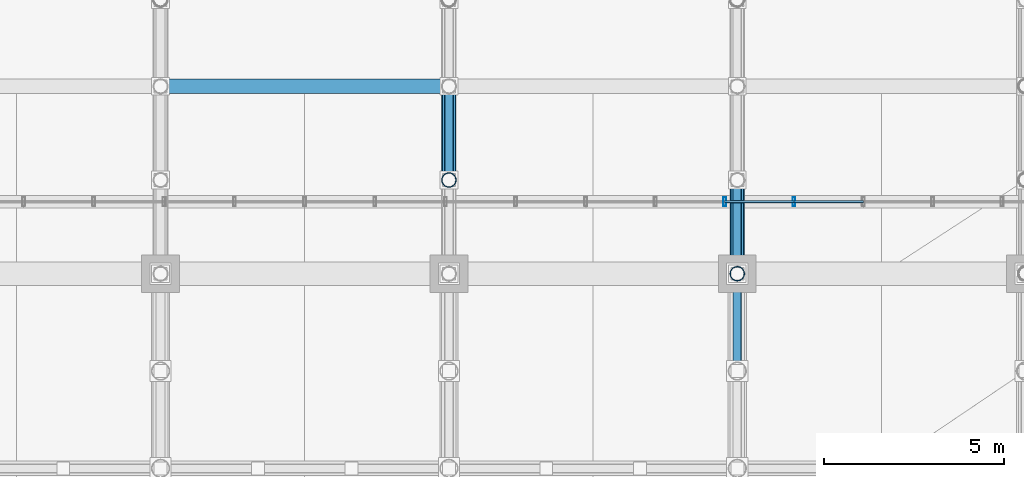
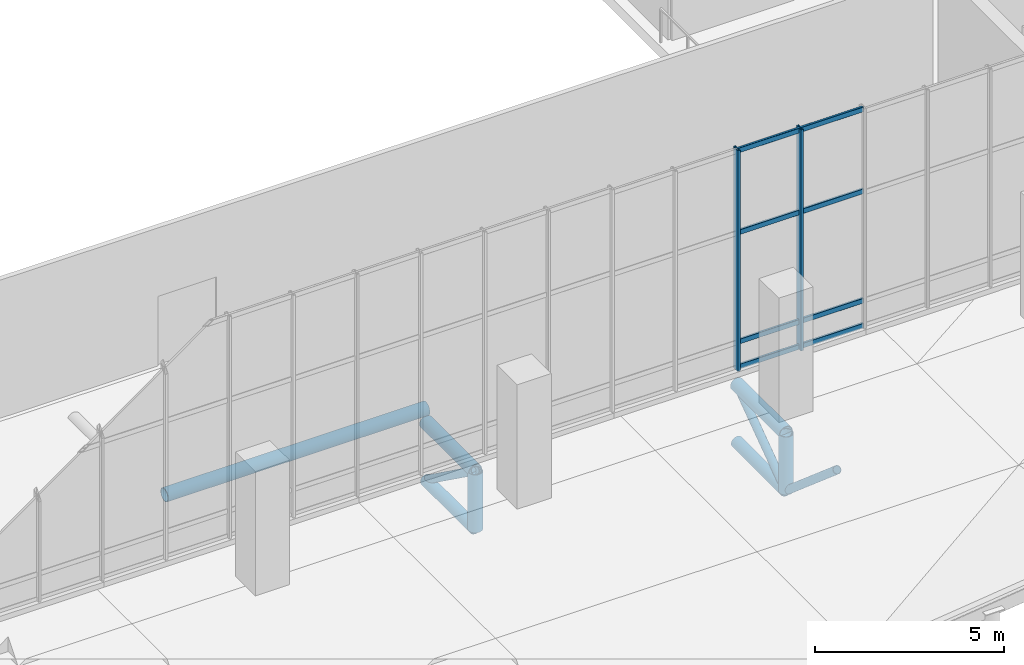
# One storey, part 30 of 137: 20 members, 1 element without a shape of its own.
"""IFC4 building model written with IfcOpenShell, lengths in metres."""

from ifc_helpers import new_model, si_unit, direction, frame, origin, origin_2d, place, context, subcontext, project, spatial, hollow_rectangle, hollow_circle, extrude, material, layer, layer_set, material_profile, profile_set, type_object, element, aggregate, save


model = new_model("IFC4")

# Units and contexts
model_context = context("Model", 3, precision=1e-05, world=origin(), true_north=direction((0.0, 1.0)))
body_context = subcontext(model_context, "Body", "Model", "MODEL_VIEW")
ifc_project = project(units=[si_unit("LENGTHUNIT", "METRE"), si_unit("AREAUNIT", "SQUARE_METRE"), si_unit("VOLUMEUNIT", "CUBIC_METRE"), si_unit("PLANEANGLEUNIT", "RADIAN"), si_unit("MASSUNIT", "GRAM", prefix="KILO")], contexts=[model_context])

# Site, building, storey
site_placement = place(None, origin())
site = spatial("IfcSite", under=ifc_project, at=site_placement, CompositionType="ELEMENT")
building_placement = place(site_placement, origin())
building = spatial("IfcBuilding", under=site, at=building_placement, Name="Khorjan Park Terminus", CompositionType="ELEMENT")
storey_placement = place(building_placement, frame((0.0, 0.0, 11.4)))
storey = spatial("IfcBuildingStorey", under=building, at=storey_placement, Name="L02", CompositionType="ELEMENT", Elevation=11.4)

# Members
ifc_material_1 = material(Name="Steel S355", Category="steel")
ifc_material_profile_1 = material_profile(ifc_material_1, hollow_circle(Radius=0.1222, WallThickness=0.0125, at=origin_2d()), Name="CHS 244.5x12.5")
ifc_profile_set_1 = profile_set([ifc_material_profile_1], Name="Steel S355")
member_type_1 = type_object("IfcMemberType", Name="MB-BR-245", PredefinedType="BRACE", material=ifc_profile_set_1)
for number, where, z_axis, x_axis, name in (
    (1, (96.0, 28.6, -0.05), (0.0, 0.811830357573, -0.583893372562), (-1.0, 0.0, 0.0), "Lower shell cantilever truss diagonal (7S)"),
    (2, (104.0, 26.0, -1.92), (0.0, 0.811830357573, 0.583893372562), (-1.0, 0.0, 0.0), "Lower shell cantilever truss diagonal (8S)"),
):
    element("IfcMember", number, at=place(storey_placement, frame(where, z_axis=z_axis, x_axis=x_axis)), inside=storey, type_object=member_type_1, Name=name, PredefinedType="BRACE", context=body_context, shape_type="SweptSolid", body=[
        extrude(hollow_circle(Radius=0.1222, WallThickness=0.0125, at=origin_2d()), origin(), (0.0, 0.0, 1.0), 3.2026),
    ])
ifc_material_profile_2 = material_profile(ifc_material_1, hollow_circle(Radius=0.1222, WallThickness=0.0125, at=origin_2d()), Name="CHS 244.5x12.5")
ifc_profile_set_2 = profile_set([ifc_material_profile_2], Name="Steel S355")
member_type_2 = type_object("IfcMemberType", Name="MB-BRE-245", PredefinedType="BRACE", material=ifc_profile_set_2)
member_1_placement = place(storey_placement, frame((104.0, 23.3, 0.392), z_axis=(0.0, 0.759574242279, -0.650420610426), x_axis=(-1.0, 0.0, 0.0)))
element("IfcMember", 3, at=member_1_placement, inside=storey, type_object=member_type_2, Name="Lower shell cantilever truss diagonal (8S)", PredefinedType="BRACE", context=body_context, shape_type="SweptSolid", body=[
    extrude(hollow_circle(Radius=0.1222, WallThickness=0.0125, at=origin_2d()), origin(), (0.0, 0.0, 1.0), 3.5546),
])
ifc_material_profile_3 = material_profile(ifc_material_1, hollow_circle(Radius=0.1778, WallThickness=0.016, at=origin_2d()), Name="CHS 355.6x16")
ifc_profile_set_3 = profile_set([ifc_material_profile_3], Name="Steel S355")
member_type_3 = type_object("IfcMemberType", Name="MB-CH-356", PredefinedType="CHORD", material=ifc_profile_set_3)
for number, where, z_axis, x_axis, name in (
    (4, (96.0, 28.6, -1.92), (0.0, 1.0, 0.0), (-1.0, 0.0, 0.0), "Lower shell cantilever truss bottom chord (7S)"),
    (5, (104.0, 26.0, -1.92), (0.0, 1.0, 0.0), (-1.0, 0.0, 0.0), "Lower shell cantilever truss bottom chord (8S)"),
):
    element("IfcMember", number, at=place(storey_placement, frame(where, z_axis=z_axis, x_axis=x_axis)), inside=storey, type_object=member_type_3, Name=name, PredefinedType="CHORD", context=body_context, shape_type="SweptSolid", body=[
        extrude(hollow_circle(Radius=0.1778, WallThickness=0.016, at=origin_2d()), origin(), (0.0, 0.0, 1.0), 2.6),
    ])
ifc_material_profile_4 = material_profile(ifc_material_1, hollow_circle(Radius=0.2032, WallThickness=0.016, at=origin_2d()), Name="CHS 406.4x16")
ifc_profile_set_4 = profile_set([ifc_material_profile_4], Name="Steel S355")
member_type_4 = type_object("IfcMemberType", Name="MB-CH-406", PredefinedType="CHORD", material=ifc_profile_set_4)
member_2_placement = place(storey_placement, frame((88.0, 31.2, 0.392), z_axis=(1.0, 0.0, 0.0), x_axis=(0.0, 1.0, 0.0)))
element("IfcMember", 6, at=member_2_placement, inside=storey, type_object=member_type_4, Name="Lower wrapping shell rim chord (80)", PredefinedType="CHORD", context=body_context, shape_type="SweptSolid", body=[
    extrude(hollow_circle(Radius=0.2032, WallThickness=0.016, at=origin_2d()), origin(), (0.0, 0.0, 1.0), 8.0),
])
for number, where, z_axis, x_axis, name in (
    (7, (96.0, 28.6, -0.05), (0.0, 1.0, 0.0), (-1.0, 0.0, 0.0), "Lower shell cantilever truss top chord (7S)"),
    (8, (104.0, 26.0, -0.05), (0.0, 1.0, 0.0), (-1.0, 0.0, 0.0), "Lower shell cantilever truss top chord (8S)"),
):
    element("IfcMember", number, at=place(storey_placement, frame(where, z_axis=z_axis, x_axis=x_axis)), inside=storey, type_object=member_type_4, Name=name, PredefinedType="CHORD", context=body_context, shape_type="SweptSolid", body=[
        extrude(hollow_circle(Radius=0.2032, WallThickness=0.016, at=origin_2d()), origin(), (0.0, 0.0, 1.0), 2.6),
    ])
ifc_material_profile_5 = material_profile(ifc_material_1, hollow_circle(Radius=0.2032, WallThickness=0.016, at=origin_2d()), Name="CHS 406.4x16")
ifc_profile_set_5 = profile_set([ifc_material_profile_5], Name="Steel S355")
member_type_5 = type_object("IfcMemberType", Name="MB-ST-406", PredefinedType="STRUT", material=ifc_profile_set_5)
for number, where, z_axis, x_axis, name in (
    (9, (96.0, 28.6, -1.92), (0.0, 0.0, 1.0), (1.0, 0.0, 0.0), "Lower shell cantilever truss post (7S)"),
    (10, (104.0, 26.0, -1.92), (0.0, 0.0, 1.0), (1.0, 0.0, 0.0), "Lower shell cantilever truss post (8S)"),
):
    element("IfcMember", number, at=place(storey_placement, frame(where, z_axis=z_axis, x_axis=x_axis)), inside=storey, type_object=member_type_5, Name=name, PredefinedType="STRUT", context=body_context, shape_type="SweptSolid", body=[
        extrude(hollow_circle(Radius=0.2032, WallThickness=0.016, at=origin_2d()), origin(), (0.0, 0.0, 1.0), 1.87),
    ])

# Curtain wall, members
ifc_material_2 = material(Name="Anodized Bronze Aluminium", Category="aluminium")
ifc_layer = layer(ifc_material_2, 0.22)
ifc_layer_set = layer_set([ifc_layer], Name="Anodized Bronze Aluminium")
curtain_wall_type = type_object("IfcCurtainWallType", Name="CW-CONC-CLR", PredefinedType="NOTDEFINED", material=ifc_layer_set)
curtain_wall_placement = place(storey_placement, origin())
curtain_wall = element("IfcCurtainWall", 11, at=curtain_wall_placement, inside=storey, type_object=curtain_wall_type, Name="Unitized curtain wall CW-CL (CW-V2-S-CLR-06)", PredefinedType="NOTDEFINED")
ifc_material_profile_6 = material_profile(ifc_material_2, hollow_rectangle(XDim=0.08, YDim=0.25, WallThickness=0.005, InnerFilletRadius=0.005, OuterFilletRadius=0.01, at=origin_2d()), Name="ALM 80x250x5")
ifc_profile_set_6 = profile_set([ifc_material_profile_6], Name="Anodized Bronze Aluminium")
member_type_6 = type_object("IfcMemberType", Name="ML-ALM-250", PredefinedType="MULLION", material=ifc_profile_set_6)
member_3_placement = place(storey_placement, frame((103.65, 28.0, 0.915), z_axis=(0.0, 0.0, 1.0), x_axis=(1.0, 0.0, 0.0)))
member_3 = element("IfcMember", 12, at=member_3_placement, type_object=member_type_6, Name="Curtain-wall mullion ML-25 (CW-V2-S-CLR-06-2)", PredefinedType="MULLION", context=body_context, shape_type="SweptSolid", body=[
    extrude(hollow_rectangle(XDim=0.08, YDim=0.25, WallThickness=0.005, InnerFilletRadius=0.005, OuterFilletRadius=0.01, at=origin_2d()), origin(), (0.0, 0.0, 1.0), 7.1432),
])
member_4_placement = place(storey_placement, frame((105.575, 28.0, 0.915), z_axis=(0.0, 0.0, 1.0), x_axis=(1.0, 0.0, 0.0)))
member_4 = element("IfcMember", 13, at=member_4_placement, type_object=member_type_6, Name="Curtain-wall mullion ML-25 (CW-V2-S-CLR-06-3)", PredefinedType="MULLION", context=body_context, shape_type="SweptSolid", body=[
    extrude(hollow_rectangle(XDim=0.08, YDim=0.25, WallThickness=0.005, InnerFilletRadius=0.005, OuterFilletRadius=0.01, at=origin_2d()), origin(), (0.0, 0.0, 1.0), 7.1432),
])
ifc_material_profile_7 = material_profile(ifc_material_2, hollow_rectangle(XDim=0.07, YDim=0.16, WallThickness=0.004, InnerFilletRadius=0.004, OuterFilletRadius=0.008, at=origin_2d()), Name="ALT 70x160x4")
ifc_profile_set_7 = profile_set([ifc_material_profile_7], Name="Anodized Bronze Aluminium")
member_type_7 = type_object("IfcMemberType", Name="TR-ALT-160", PredefinedType="USERDEFINED", material=ifc_profile_set_7)
member_5_placement = place(storey_placement, frame((103.65, 28.0, 0.99), z_axis=(1.0, 0.0, 0.0), x_axis=(0.0, 1.0, 0.0)))
member_5 = element("IfcMember", 14, at=member_5_placement, type_object=member_type_7, Name="Curtain-wall transom TR-16 (CW-V2-S-CLR-06-2-1)", ObjectType="TRANSOM", PredefinedType="USERDEFINED", context=body_context, shape_type="SweptSolid", body=[
    extrude(hollow_rectangle(XDim=0.07, YDim=0.16, WallThickness=0.004, InnerFilletRadius=0.004, OuterFilletRadius=0.008, at=origin_2d()), origin(), (0.0, 0.0, 1.0), 1.925),
])
member_6_placement = place(storey_placement, frame((103.65, 28.0, 1.8), z_axis=(1.0, 0.0, 0.0), x_axis=(0.0, 1.0, 0.0)))
member_6 = element("IfcMember", 15, at=member_6_placement, type_object=member_type_7, Name="Curtain-wall transom TR-16 (CW-V2-S-CLR-06-2-2)", ObjectType="TRANSOM", PredefinedType="USERDEFINED", context=body_context, shape_type="SweptSolid", body=[
    extrude(hollow_rectangle(XDim=0.07, YDim=0.16, WallThickness=0.004, InnerFilletRadius=0.004, OuterFilletRadius=0.008, at=origin_2d()), origin(), (0.0, 0.0, 1.0), 1.925),
])
member_7_placement = place(storey_placement, frame((103.65, 28.0, 5.3354), z_axis=(1.0, 0.0, 0.0), x_axis=(0.0, 1.0, 0.0)))
member_7 = element("IfcMember", 16, at=member_7_placement, type_object=member_type_7, Name="Curtain-wall transom TR-16 (CW-V2-S-CLR-06-2-3)", ObjectType="TRANSOM", PredefinedType="USERDEFINED", context=body_context, shape_type="SweptSolid", body=[
    extrude(hollow_rectangle(XDim=0.07, YDim=0.16, WallThickness=0.004, InnerFilletRadius=0.004, OuterFilletRadius=0.008, at=origin_2d()), origin(), (0.0, 0.0, 1.0), 1.925),
])
member_8_placement = place(storey_placement, frame((103.65, 28.0, 7.9832), z_axis=(1.0, 0.0, 0.0), x_axis=(0.0, 1.0, 0.0)))
member_8 = element("IfcMember", 17, at=member_8_placement, type_object=member_type_7, Name="Curtain-wall transom TR-16 (CW-V2-S-CLR-06-2-4)", ObjectType="TRANSOM", PredefinedType="USERDEFINED", context=body_context, shape_type="SweptSolid", body=[
    extrude(hollow_rectangle(XDim=0.07, YDim=0.16, WallThickness=0.004, InnerFilletRadius=0.004, OuterFilletRadius=0.008, at=origin_2d()), origin(), (0.0, 0.0, 1.0), 1.925),
])
member_9_placement = place(storey_placement, frame((105.575, 28.0, 0.99), z_axis=(1.0, 0.0, 0.0), x_axis=(0.0, 1.0, 0.0)))
member_9 = element("IfcMember", 18, at=member_9_placement, type_object=member_type_7, Name="Curtain-wall transom TR-16 (CW-V2-S-CLR-06-3-1)", ObjectType="TRANSOM", PredefinedType="USERDEFINED", context=body_context, shape_type="SweptSolid", body=[
    extrude(hollow_rectangle(XDim=0.07, YDim=0.16, WallThickness=0.004, InnerFilletRadius=0.004, OuterFilletRadius=0.008, at=origin_2d()), origin(), (0.0, 0.0, 1.0), 1.925),
])
member_10_placement = place(storey_placement, frame((105.575, 28.0, 1.8), z_axis=(1.0, 0.0, 0.0), x_axis=(0.0, 1.0, 0.0)))
member_10 = element("IfcMember", 19, at=member_10_placement, type_object=member_type_7, Name="Curtain-wall transom TR-16 (CW-V2-S-CLR-06-3-2)", ObjectType="TRANSOM", PredefinedType="USERDEFINED", context=body_context, shape_type="SweptSolid", body=[
    extrude(hollow_rectangle(XDim=0.07, YDim=0.16, WallThickness=0.004, InnerFilletRadius=0.004, OuterFilletRadius=0.008, at=origin_2d()), origin(), (0.0, 0.0, 1.0), 1.925),
])
member_11_placement = place(storey_placement, frame((105.575, 28.0, 5.3354), z_axis=(1.0, 0.0, 0.0), x_axis=(0.0, 1.0, 0.0)))
member_11 = element("IfcMember", 20, at=member_11_placement, type_object=member_type_7, Name="Curtain-wall transom TR-16 (CW-V2-S-CLR-06-3-3)", ObjectType="TRANSOM", PredefinedType="USERDEFINED", context=body_context, shape_type="SweptSolid", body=[
    extrude(hollow_rectangle(XDim=0.07, YDim=0.16, WallThickness=0.004, InnerFilletRadius=0.004, OuterFilletRadius=0.008, at=origin_2d()), origin(), (0.0, 0.0, 1.0), 1.925),
])
member_12_placement = place(storey_placement, frame((105.575, 28.0, 7.9832), z_axis=(1.0, 0.0, 0.0), x_axis=(0.0, 1.0, 0.0)))
member_12 = element("IfcMember", 21, at=member_12_placement, type_object=member_type_7, Name="Curtain-wall transom TR-16 (CW-V2-S-CLR-06-3-4)", ObjectType="TRANSOM", PredefinedType="USERDEFINED", context=body_context, shape_type="SweptSolid", body=[
    extrude(hollow_rectangle(XDim=0.07, YDim=0.16, WallThickness=0.004, InnerFilletRadius=0.004, OuterFilletRadius=0.008, at=origin_2d()), origin(), (0.0, 0.0, 1.0), 1.925),
])
aggregate(curtain_wall, [member_3, member_4, member_5, member_6, member_7, member_8, member_9, member_10, member_11, member_12])

save(model, "model.ifc")
